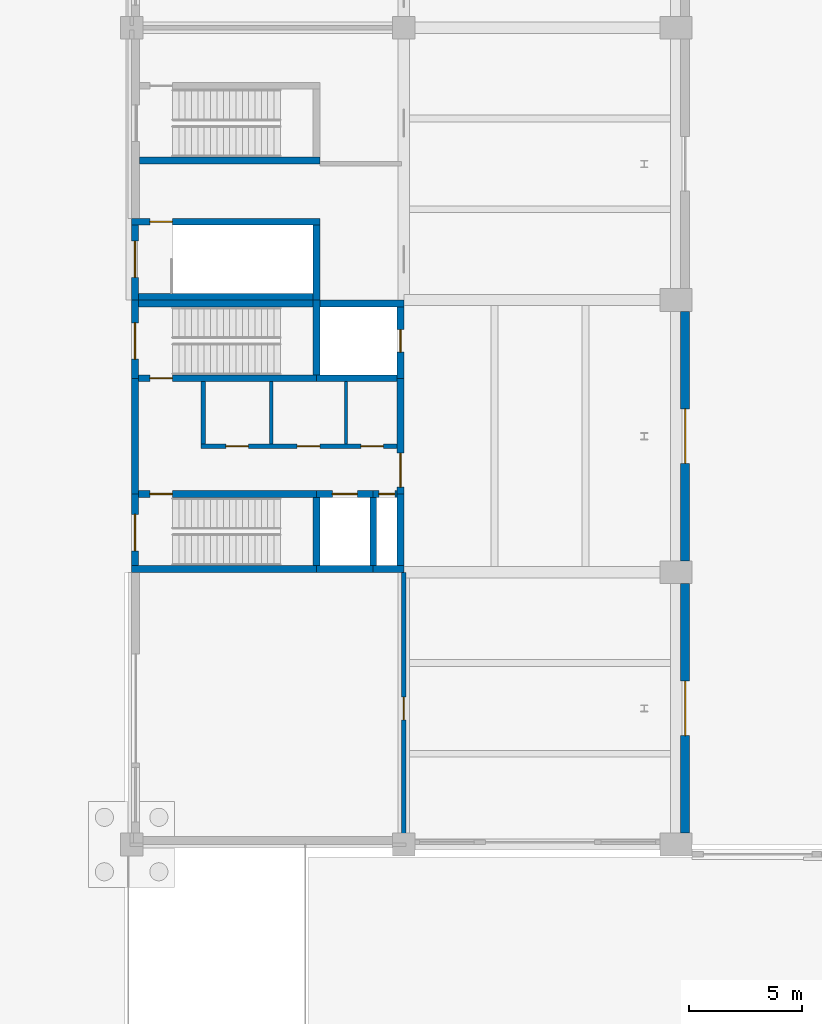
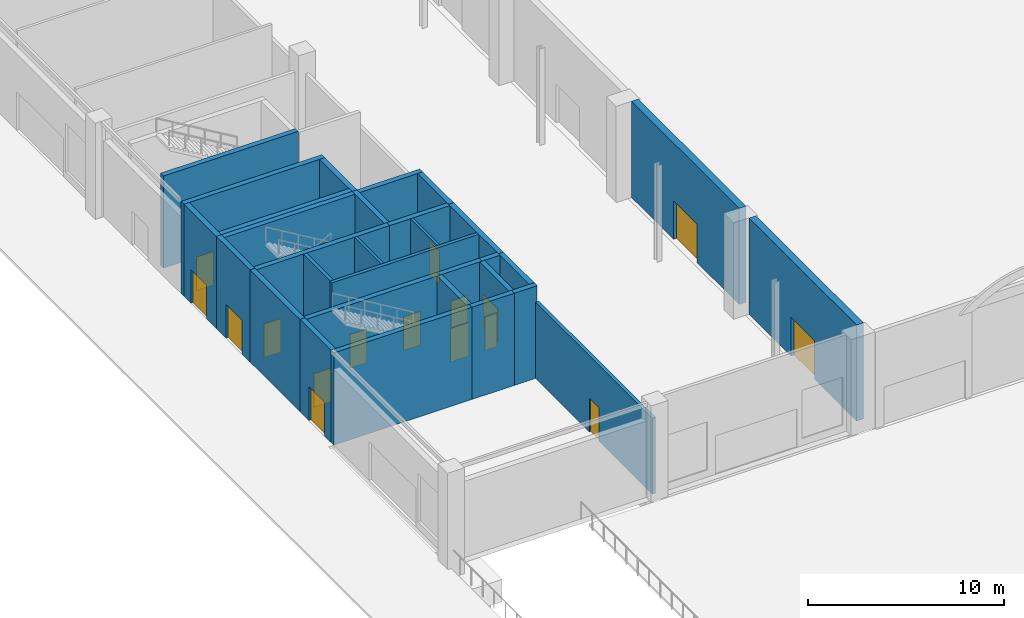
# One storey, part 33 of 59: 31 walls, 16 doors, 16 openings.
"""IFC4 building model written with IfcOpenShell, lengths in metres."""

from ifc_helpers import new_model, si_unit, direction, frame, frame_2d, origin, place, context, subcontext, project, spatial, rectangle, extrude, material, layer, layer_set, type_object, element, fill, save


model = new_model("IFC4")

# Units and contexts
model_context = context("Model", 3, precision=1e-05, world=origin(), true_north=direction((0.0, 1.0)))
body_context = subcontext(model_context, "Body", "Model", "MODEL_VIEW")
ifc_project = project(units=[si_unit("LENGTHUNIT", "METRE"), si_unit("AREAUNIT", "SQUARE_METRE"), si_unit("VOLUMEUNIT", "CUBIC_METRE"), si_unit("PLANEANGLEUNIT", "RADIAN"), si_unit("MASSUNIT", "GRAM", prefix="KILO")], contexts=[model_context])

# Site, building, storey
site_placement = place(None, origin())
site = spatial("IfcSite", under=ifc_project, at=site_placement, CompositionType="ELEMENT")
building_placement = place(site_placement, origin())
building = spatial("IfcBuilding", under=site, at=building_placement, Name="Lilac Gate Convention Centre", CompositionType="ELEMENT")
storey_placement = place(building_placement, origin())
storey = spatial("IfcBuildingStorey", under=building, at=storey_placement, Name="L00", CompositionType="ELEMENT", Elevation=0.0)

# Wall, opening, door
ifc_material_1 = material(Name="Concrete C30", Category="concrete")
ifc_layer_1 = layer(ifc_material_1, 0.39990234375)
ifc_layer_set_1 = layer_set([ifc_layer_1], Name="Concrete C30")
wall_type_1 = type_object("IfcWallType", Name="Hall fire wall 400", PredefinedType="SOLIDWALL", material=ifc_layer_set_1)
wall_1_placement = place(storey_placement, frame((30.39990234375, 30.5, 0.0), z_axis=(0.0, 0.0, 1.0), x_axis=(0.0, 1.0, 0.0)))
wall_1 = element("IfcWall", 1, at=wall_1_placement, inside=storey, type_object=wall_type_1, Name="Fire wall galleria FW L00 1", PredefinedType="SOLIDWALL", context=body_context, shape_type="SweptSolid", body=[
    extrude(rectangle(XDim=11.0, YDim=0.39990234375, at=frame_2d((5.5, 0.0))), origin(), (0.0, 0.0, 1.0), 6.0),
])
opening_1_placement = place(wall_1_placement, frame((4.300048828125, 0.0, 0.0)))
opening_1 = element("IfcOpeningElement", 2, at=opening_1_placement, cuts=wall_1, Name="Opening L00-002", PredefinedType="OPENING", context=body_context, shape_type="SweptSolid", body=[
    extrude(rectangle(XDim=2.39990234375, YDim=2.39990234375, at=frame_2d((1.199951171875, 1.199951171875))), frame((0.0, 0.2099609375, 0.0), z_axis=(0.0, -1.0, 0.0), x_axis=(1.0, 0.0, 0.0)), (0.0, 0.0, 1.0), 0.419921875),
])
ifc_material_2 = material(Name="Steel Q235B", Category="steel")
door_type_1 = type_object("IfcDoorType", Name="Door 2400 x 2400 double leaf FD90", OperationType="DOUBLE_DOOR_SINGLE_SWING", PredefinedType="DOOR", material=ifc_material_2)
door_1_placement = place(opening_1_placement, origin())
door_1 = element("IfcDoor", 3, at=door_1_placement, inside=storey, type_object=door_type_1, Name="Hall exit door L00-002", OperationType="DOUBLE_DOOR_SINGLE_SWING", OverallHeight=2.39990234375, OverallWidth=2.39990234375, PredefinedType="DOOR", context=body_context, shape_type="SweptSolid", body=[
    extrude(rectangle(XDim=2.39990234375, YDim=2.39990234375, at=frame_2d((1.199951171875, 1.199951171875))), frame((0.0, 0.02490234375, 0.0), z_axis=(0.0, -1.0, 0.0), x_axis=(1.0, 0.0, 0.0)), (0.0, 0.0, 1.0), 0.050048828125),
])
fill(opening_1, door_1)

wall_2_placement = place(storey_placement, frame((30.39990234375, 42.5, 0.0), z_axis=(0.0, 0.0, 1.0), x_axis=(0.0, 1.0, 0.0)))
wall_2 = element("IfcWall", 4, at=wall_2_placement, inside=storey, type_object=wall_type_1, Name="Fire wall galleria FW L00 2", PredefinedType="SOLIDWALL", context=body_context, shape_type="SweptSolid", body=[
    extrude(rectangle(XDim=11.0, YDim=0.39990234375, at=frame_2d((5.5, 0.0))), origin(), (0.0, 0.0, 1.0), 6.0),
])
opening_2_placement = place(wall_2_placement, frame((4.300048828125, 0.0, 0.0)))
opening_2 = element("IfcOpeningElement", 5, at=opening_2_placement, cuts=wall_2, Name="Opening L00-010", PredefinedType="OPENING", context=body_context, shape_type="SweptSolid", body=[
    extrude(rectangle(XDim=2.39990234375, YDim=2.39990234375, at=frame_2d((1.199951171875, 1.199951171875))), frame((0.0, 0.2099609375, 0.0), z_axis=(0.0, -1.0, 0.0), x_axis=(1.0, 0.0, 0.0)), (0.0, 0.0, 1.0), 0.419921875),
])
door_2_placement = place(opening_2_placement, origin())
door_2 = element("IfcDoor", 6, at=door_2_placement, inside=storey, type_object=door_type_1, Name="Hall exit door L00-010", OperationType="DOUBLE_DOOR_SINGLE_SWING", OverallHeight=2.39990234375, OverallWidth=2.39990234375, PredefinedType="DOOR", context=body_context, shape_type="SweptSolid", body=[
    extrude(rectangle(XDim=2.39990234375, YDim=2.39990234375, at=frame_2d((1.199951171875, 1.199951171875))), frame((0.0, 0.02490234375, 0.0), z_axis=(0.0, -1.0, 0.0), x_axis=(1.0, 0.0, 0.0)), (0.0, 0.0, 1.0), 0.050048828125),
])
fill(opening_2, door_2)

# Walls
ifc_material_3 = material(Name="Fire-rated gypsum board on steel stud", Category="steel")
ifc_layer_2 = layer(ifc_material_3, 0.14990234375)
ifc_layer_set_2 = layer_set([ifc_layer_2], Name="Fire-rated gypsum board on steel stud")
wall_type_2 = type_object("IfcWallType", Name="Partition 150 fire-rated gypsum board EI 60", PredefinedType="PARTITIONING", material=ifc_layer_set_2)
for number, where, z_axis, x_axis, name in (
    (7, (12.14990234375, 47.64990234375, 0.0), (0.0, 0.0, 1.0), (0.0, 1.0, 0.0), "Partition 150 fire-rated gypsum board EI 60"),
    (8, (15.449951171875, 47.64990234375, 0.0), (0.0, 0.0, 1.0), (0.0, 1.0, 0.0), "Partition 150 fire-rated gypsum board EI 60"),
):
    element("IfcWall", number, at=place(storey_placement, frame(where, z_axis=z_axis, x_axis=x_axis)), inside=storey, type_object=wall_type_2, Name=name, PredefinedType="PARTITIONING", context=body_context, shape_type="SweptSolid", body=[
        extrude(rectangle(XDim=2.75, YDim=0.14990234375, at=frame_2d((1.375, 0.0))), origin(), (0.0, 0.0, 1.0), 5.75),
    ])

# Wall, openings, doors
ifc_material_4 = material(Name="Clay brick masonry", Category="masonry")
ifc_layer_3 = layer(ifc_material_4, 0.199951171875)
ifc_layer_set_3 = layer_set([ifc_layer_3], Name="Clay brick masonry")
wall_type_3 = type_object("IfcWallType", Name="Partition 200 brick EI 60", PredefinedType="PARTITIONING", material=ifc_layer_set_3)
wall_3_placement = place(storey_placement, frame((9.050048828125, 47.550048828125, 0.0), z_axis=(0.0, 0.0, 1.0), x_axis=(1.0, 0.0, 0.0)))
wall_3 = element("IfcWall", 9, at=wall_3_placement, inside=storey, type_object=wall_type_3, Name="Partition 200 brick EI 60", PredefinedType="PARTITIONING", context=body_context, shape_type="SweptSolid", body=[
    extrude(rectangle(XDim=8.64990234375, YDim=0.199951171875, at=frame_2d((4.324951171875, 0.0))), origin(), (0.0, 0.0, 1.0), 5.75),
])
opening_3_placement = place(wall_3_placement, frame((1.10009765625, 0.0, 0.0)))
opening_3 = element("IfcOpeningElement", 10, at=opening_3_placement, cuts=wall_3, Name="Opening L00-007", PredefinedType="OPENING", context=body_context, shape_type="SweptSolid", body=[
    extrude(rectangle(XDim=1.0, YDim=2.10009765625, at=frame_2d((0.5, 1.050048828125))), frame((0.0, 0.10986328125, 0.0), z_axis=(0.0, -1.0, 0.0), x_axis=(1.0, 0.0, 0.0)), (0.0, 0.0, 1.0), 0.219970703125),
])
opening_4_placement = place(wall_3_placement, frame((4.25, 0.0, 0.0)))
opening_4 = element("IfcOpeningElement", 11, at=opening_4_placement, cuts=wall_3, Name="Opening L00-008", PredefinedType="OPENING", context=body_context, shape_type="SweptSolid", body=[
    extrude(rectangle(XDim=1.0, YDim=2.10009765625, at=frame_2d((0.5, 1.050048828125))), frame((0.0, 0.10986328125, 0.0), z_axis=(0.0, -1.0, 0.0), x_axis=(1.0, 0.0, 0.0)), (0.0, 0.0, 1.0), 0.219970703125),
])
opening_5_placement = place(wall_3_placement, frame((7.050048828125, 0.0, 0.0)))
opening_5 = element("IfcOpeningElement", 12, at=opening_5_placement, cuts=wall_3, Name="Opening L00-009", PredefinedType="OPENING", context=body_context, shape_type="SweptSolid", body=[
    extrude(rectangle(XDim=1.0, YDim=2.10009765625, at=frame_2d((0.5, 1.050048828125))), frame((0.0, 0.10986328125, 0.0), z_axis=(0.0, -1.0, 0.0), x_axis=(1.0, 0.0, 0.0)), (0.0, 0.0, 1.0), 0.219970703125),
])
ifc_material_5 = material(Name="Timber fire door leaf", Category="wood")
door_type_2 = type_object("IfcDoorType", Name="Door 1000 x 2100 single leaf FD30", OperationType="SINGLE_SWING_LEFT", PredefinedType="DOOR", material=ifc_material_5)
door_3_placement = place(opening_3_placement, origin())
door_3 = element("IfcDoor", 13, at=door_3_placement, inside=storey, type_object=door_type_2, Name="WC door L00-007", OperationType="SINGLE_SWING_RIGHT", OverallHeight=2.10009765625, OverallWidth=1.0, PredefinedType="DOOR", context=body_context, shape_type="SweptSolid", body=[
    extrude(rectangle(XDim=1.0, YDim=2.10009765625, at=frame_2d((0.5, 1.050048828125))), frame((0.0, 0.02490234375, 0.0), z_axis=(0.0, -1.0, 0.0), x_axis=(1.0, 0.0, 0.0)), (0.0, 0.0, 1.0), 0.050048828125),
])
fill(opening_3, door_3)
door_4_placement = place(opening_4_placement, origin())
door_4 = element("IfcDoor", 14, at=door_4_placement, inside=storey, type_object=door_type_2, Name="WC door L00-008", OperationType="SINGLE_SWING_LEFT", OverallHeight=2.10009765625, OverallWidth=1.0, PredefinedType="DOOR", context=body_context, shape_type="SweptSolid", body=[
    extrude(rectangle(XDim=1.0, YDim=2.10009765625, at=frame_2d((0.5, 1.050048828125))), frame((0.0, 0.02490234375, 0.0), z_axis=(0.0, -1.0, 0.0), x_axis=(1.0, 0.0, 0.0)), (0.0, 0.0, 1.0), 0.050048828125),
])
fill(opening_4, door_4)
door_5_placement = place(opening_5_placement, origin())
door_5 = element("IfcDoor", 15, at=door_5_placement, inside=storey, type_object=door_type_2, Name="Accessible WC door L00-009", OperationType="SINGLE_SWING_LEFT", OverallHeight=2.10009765625, OverallWidth=1.0, PredefinedType="DOOR", context=body_context, shape_type="SweptSolid", body=[
    extrude(rectangle(XDim=1.0, YDim=2.10009765625, at=frame_2d((0.5, 1.050048828125))), frame((0.0, 0.02490234375, 0.0), z_axis=(0.0, -1.0, 0.0), x_axis=(1.0, 0.0, 0.0)), (0.0, 0.0, 1.0), 0.050048828125),
])
fill(opening_5, door_5)

# Wall
wall_4_placement = place(storey_placement, frame((9.14990234375, 47.64990234375, 0.0), z_axis=(0.0, 0.0, 1.0), x_axis=(0.0, 1.0, 0.0)))
element("IfcWall", 16, at=wall_4_placement, inside=storey, type_object=wall_type_3, Name="Partition 200 brick EI 60", PredefinedType="PARTITIONING", context=body_context, shape_type="SweptSolid", body=[
    extrude(rectangle(XDim=2.75, YDim=0.199951171875, at=frame_2d((1.375, 0.0))), origin(), (0.0, 0.0, 1.0), 5.75),
])

# Wall, opening, door
wall_5_placement = place(storey_placement, frame((18.0, 30.074951171875, 0.0), z_axis=(0.0, 0.0, 1.0), x_axis=(0.0, 1.0, 0.0)))
wall_5 = element("IfcWall", 17, at=wall_5_placement, inside=storey, type_object=wall_type_3, Name="Partition 200 brick EI 60", PredefinedType="PARTITIONING", context=body_context, shape_type="SweptSolid", body=[
    extrude(rectangle(XDim=11.925048828125, YDim=0.199951171875, at=frame_2d((5.96240234375, 0.0))), origin(), (0.0, 0.0, 1.0), 4.75),
])
opening_6_placement = place(wall_5_placement, frame((5.425048828125, 0.0, 0.0)))
opening_6 = element("IfcOpeningElement", 18, at=opening_6_placement, cuts=wall_5, Name="Opening L00-001", PredefinedType="OPENING", context=body_context, shape_type="SweptSolid", body=[
    extrude(rectangle(XDim=1.0, YDim=2.10009765625, at=frame_2d((0.5, 1.050048828125))), frame((0.0, 0.10986328125, 0.0), z_axis=(0.0, -1.0, 0.0), x_axis=(1.0, 0.0, 0.0)), (0.0, 0.0, 1.0), 0.219970703125),
])
door_6_placement = place(opening_6_placement, origin())
door_6 = element("IfcDoor", 19, at=door_6_placement, inside=storey, type_object=door_type_2, Name="Office door L00-001", OperationType="SINGLE_SWING_RIGHT", OverallHeight=2.10009765625, OverallWidth=1.0, PredefinedType="DOOR", context=body_context, shape_type="SweptSolid", body=[
    extrude(rectangle(XDim=1.0, YDim=2.10009765625, at=frame_2d((0.5, 1.050048828125))), frame((0.0, 0.02490234375, 0.0), z_axis=(0.0, -1.0, 0.0), x_axis=(1.0, 0.0, 0.0)), (0.0, 0.0, 1.0), 0.050048828125),
])
fill(opening_6, door_6)

# Wall
ifc_material_6 = material(Name="Concrete C40", Category="concrete")
ifc_layer_4 = layer(ifc_material_6, 0.300048828125)
ifc_layer_set_4 = layer_set([ifc_layer_4], Name="Concrete C40")
wall_type_4 = type_object("IfcWallType", Name="Shear wall 300 C40", PredefinedType="SHEAR", material=ifc_layer_set_4)
wall_6_placement = place(storey_placement, frame((6.0, 54.14990234375, 0.0), z_axis=(0.0, 0.0, 1.0), x_axis=(1.0, 0.0, 0.0)))
element("IfcWall", 20, at=wall_6_placement, inside=storey, type_object=wall_type_4, Name="SW1 shear wall BW1 L00 1", PredefinedType="SHEAR", context=body_context, shape_type="SweptSolid", body=[
    extrude(rectangle(XDim=8.300048828125, YDim=0.300048828125, at=frame_2d((4.14990234375, 0.0))), origin(), (0.0, 0.0, 1.0), 5.75),
])

# Wall, opening, door
wall_7_placement = place(storey_placement, frame((6.0, 57.449951171875, 0.0), z_axis=(0.0, 0.0, 1.0), x_axis=(1.0, 0.0, 0.0)))
wall_7 = element("IfcWall", 21, at=wall_7_placement, inside=storey, type_object=wall_type_4, Name="SW1 shear wall BW1 L00 2", PredefinedType="SHEAR", context=body_context, shape_type="SweptSolid", body=[
    extrude(rectangle(XDim=8.300048828125, YDim=0.300048828125, at=frame_2d((4.14990234375, 0.0))), origin(), (0.0, 0.0, 1.0), 5.75),
])
opening_7_placement = place(wall_7_placement, frame((0.800048828125, 0.0, 0.0)))
opening_7 = element("IfcOpeningElement", 22, at=opening_7_placement, cuts=wall_7, Name="Opening L00-016", PredefinedType="OPENING", context=body_context, shape_type="SweptSolid", body=[
    extrude(rectangle(XDim=1.0, YDim=2.10009765625, at=frame_2d((0.5, 1.050048828125))), frame((0.0, 0.159912109375, 0.0), z_axis=(0.0, -1.0, 0.0), x_axis=(1.0, 0.0, 0.0)), (0.0, 0.0, 1.0), 0.320068359375),
])
door_type_3 = type_object("IfcDoorType", Name="Door 1000 x 2100 single leaf FD60", OperationType="SINGLE_SWING_LEFT", PredefinedType="DOOR", material=ifc_material_5)
door_7_placement = place(opening_7_placement, frame((1.0, 0.0, 0.0), z_axis=(0.0, 0.0, 1.0), x_axis=(-1.0, 0.0, 0.0)))
door_7 = element("IfcDoor", 23, at=door_7_placement, inside=storey, type_object=door_type_3, Name="Stair door L00-016", OperationType="SINGLE_SWING_LEFT", OverallHeight=2.10009765625, OverallWidth=1.0, PredefinedType="DOOR", context=body_context, shape_type="SweptSolid", body=[
    extrude(rectangle(XDim=1.0, YDim=2.10009765625, at=frame_2d((0.5, 1.050048828125))), frame((0.0, 0.02490234375, 0.0), z_axis=(0.0, -1.0, 0.0), x_axis=(1.0, 0.0, 0.0)), (0.0, 0.0, 1.0), 0.050048828125),
])
fill(opening_7, door_7)

wall_8_placement = place(storey_placement, frame((6.14990234375, 54.0, 0.0), z_axis=(0.0, 0.0, 1.0), x_axis=(0.0, 1.0, 0.0)))
wall_8 = element("IfcWall", 24, at=wall_8_placement, inside=storey, type_object=wall_type_4, Name="SW1 shear wall BW1 L00 3", PredefinedType="SHEAR", context=body_context, shape_type="SweptSolid", body=[
    extrude(rectangle(XDim=3.300048828125, YDim=0.300048828125, at=frame_2d((1.64990234375, 0.0))), origin(), (0.0, 0.0, 1.0), 5.75),
])
opening_8_placement = place(wall_8_placement, frame((1.0, 0.0, 0.0)))
opening_8 = element("IfcOpeningElement", 25, at=opening_8_placement, cuts=wall_8, Name="Opening L00-014", PredefinedType="OPENING", context=body_context, shape_type="SweptSolid", body=[
    extrude(rectangle(XDim=1.60009765625, YDim=2.10009765625, at=frame_2d((0.800048828125, 1.050048828125))), frame((0.0, 0.159912109375, 0.0), z_axis=(0.0, -1.0, 0.0), x_axis=(1.0, 0.0, 0.0)), (0.0, 0.0, 1.0), 0.320068359375),
])
door_type_4 = type_object("IfcDoorType", Name="Door 1600 x 2100 double leaf FD60", OperationType="DOUBLE_DOOR_SINGLE_SWING", PredefinedType="DOOR", material=ifc_material_5)
door_8_placement = place(opening_8_placement, origin())
door_8 = element("IfcDoor", 26, at=door_8_placement, inside=storey, type_object=door_type_4, Name="Stair exit door L00-014", OperationType="DOUBLE_DOOR_SINGLE_SWING", OverallHeight=2.10009765625, OverallWidth=1.60009765625, PredefinedType="DOOR", context=body_context, shape_type="SweptSolid", body=[
    extrude(rectangle(XDim=1.60009765625, YDim=2.10009765625, at=frame_2d((0.800048828125, 1.050048828125))), frame((0.0, 0.02490234375, 0.0), z_axis=(0.0, -1.0, 0.0), x_axis=(1.0, 0.0, 0.0)), (0.0, 0.0, 1.0), 0.050048828125),
])
fill(opening_8, door_8)

# Walls
wall_9_placement = place(storey_placement, frame((14.14990234375, 54.0, 0.0), z_axis=(0.0, 0.0, 1.0), x_axis=(0.0, 1.0, 0.0)))
element("IfcWall", 27, at=wall_9_placement, inside=storey, type_object=wall_type_4, Name="SW1 shear wall BW1 L00 4", PredefinedType="SHEAR", context=body_context, shape_type="SweptSolid", body=[
    extrude(rectangle(XDim=3.300048828125, YDim=0.300048828125, at=frame_2d((1.64990234375, 0.0))), origin(), (0.0, 0.0, 1.0), 5.75),
])
wall_10_placement = place(storey_placement, frame((6.35009765625, 60.14990234375, 0.0), z_axis=(0.0, 0.0, 1.0), x_axis=(1.0, 0.0, 0.0)))
element("IfcWall", 28, at=wall_10_placement, inside=storey, type_object=wall_type_4, Name="SW1 shear wall UW1 L00 1", PredefinedType="SHEAR", context=body_context, shape_type="SweptSolid", body=[
    extrude(rectangle(XDim=7.949951171875, YDim=0.300048828125, at=frame_2d((3.97509765625, 0.0))), origin(), (0.0, 0.0, 1.0), 5.75),
])
wall_11_placement = place(storey_placement, frame((6.0, 42.14990234375, 0.0), z_axis=(0.0, 0.0, 1.0), x_axis=(1.0, 0.0, 0.0)))
element("IfcWall", 29, at=wall_11_placement, inside=storey, type_object=wall_type_4, Name="SW1 shear wall W1 L00 1", PredefinedType="SHEAR", context=body_context, shape_type="SweptSolid", body=[
    extrude(rectangle(XDim=8.14990234375, YDim=0.300048828125, at=frame_2d((4.074951171875, 0.0))), origin(), (0.0, 0.0, 1.0), 5.75),
])
wall_12_placement = place(storey_placement, frame((14.14990234375, 42.14990234375, 0.0), z_axis=(0.0, 0.0, 1.0), x_axis=(1.0, 0.0, 0.0)))
element("IfcWall", 30, at=wall_12_placement, inside=storey, type_object=wall_type_4, Name="SW1 shear wall W1 L00 2", PredefinedType="SHEAR", context=body_context, shape_type="SweptSolid", body=[
    extrude(rectangle(XDim=2.5, YDim=0.300048828125, at=frame_2d((1.25, 0.0))), origin(), (0.0, 0.0, 1.0), 5.75),
])
wall_13_placement = place(storey_placement, frame((16.64990234375, 42.14990234375, 0.0), z_axis=(0.0, 0.0, 1.0), x_axis=(1.0, 0.0, 0.0)))
element("IfcWall", 31, at=wall_13_placement, inside=storey, type_object=wall_type_4, Name="SW1 shear wall W1 L00 3", PredefinedType="SHEAR", context=body_context, shape_type="SweptSolid", body=[
    extrude(rectangle(XDim=1.35009765625, YDim=0.300048828125, at=frame_2d((0.675048828125, 0.0))), origin(), (0.0, 0.0, 1.0), 5.75),
])
wall_14_placement = place(storey_placement, frame((6.0, 53.85009765625, 0.0), z_axis=(0.0, 0.0, 1.0), x_axis=(1.0, 0.0, 0.0)))
element("IfcWall", 32, at=wall_14_placement, inside=storey, type_object=wall_type_4, Name="SW1 shear wall W1 L00 4", PredefinedType="SHEAR", context=body_context, shape_type="SweptSolid", body=[
    extrude(rectangle(XDim=8.14990234375, YDim=0.300048828125, at=frame_2d((4.074951171875, 0.0))), origin(), (0.0, 0.0, 1.0), 5.75),
])
wall_15_placement = place(storey_placement, frame((14.14990234375, 53.85009765625, 0.0), z_axis=(0.0, 0.0, 1.0), x_axis=(1.0, 0.0, 0.0)))
element("IfcWall", 33, at=wall_15_placement, inside=storey, type_object=wall_type_4, Name="SW1 shear wall W1 L00 5", PredefinedType="SHEAR", context=body_context, shape_type="SweptSolid", body=[
    extrude(rectangle(XDim=3.85009765625, YDim=0.300048828125, at=frame_2d((1.925048828125, 0.0))), origin(), (0.0, 0.0, 1.0), 5.75),
])

# Wall, opening, door
wall_16_placement = place(storey_placement, frame((6.300048828125, 45.449951171875, 0.0), z_axis=(0.0, 0.0, 1.0), x_axis=(1.0, 0.0, 0.0)))
wall_16 = element("IfcWall", 34, at=wall_16_placement, inside=storey, type_object=wall_type_4, Name="SW1 shear wall W1 L00 6", PredefinedType="SHEAR", context=body_context, shape_type="SweptSolid", body=[
    extrude(rectangle(XDim=7.849853515625, YDim=0.300048828125, at=frame_2d((3.9248046875, 0.0))), origin(), (0.0, 0.0, 1.0), 5.75),
])
opening_9_placement = place(wall_16_placement, frame((0.5, 0.0, 0.0)))
opening_9 = element("IfcOpeningElement", 35, at=opening_9_placement, cuts=wall_16, Name="Opening L00-004", PredefinedType="OPENING", context=body_context, shape_type="SweptSolid", body=[
    extrude(rectangle(XDim=1.0, YDim=2.10009765625, at=frame_2d((0.5, 1.050048828125))), frame((0.0, 0.159912109375, 0.0), z_axis=(0.0, -1.0, 0.0), x_axis=(1.0, 0.0, 0.0)), (0.0, 0.0, 1.0), 0.320068359375),
])
door_9_placement = place(opening_9_placement, frame((1.0, 0.0, 0.0), z_axis=(0.0, 0.0, 1.0), x_axis=(-1.0, 0.0, 0.0)))
door_9 = element("IfcDoor", 36, at=door_9_placement, inside=storey, type_object=door_type_3, Name="Stair door L00-004", OperationType="SINGLE_SWING_LEFT", OverallHeight=2.10009765625, OverallWidth=1.0, PredefinedType="DOOR", context=body_context, shape_type="SweptSolid", body=[
    extrude(rectangle(XDim=1.0, YDim=2.10009765625, at=frame_2d((0.5, 1.050048828125))), frame((0.0, 0.02490234375, 0.0), z_axis=(0.0, -1.0, 0.0), x_axis=(1.0, 0.0, 0.0)), (0.0, 0.0, 1.0), 0.050048828125),
])
fill(opening_9, door_9)

wall_17_placement = place(storey_placement, frame((14.14990234375, 45.449951171875, 0.0), z_axis=(0.0, 0.0, 1.0), x_axis=(1.0, 0.0, 0.0)))
wall_17 = element("IfcWall", 37, at=wall_17_placement, inside=storey, type_object=wall_type_4, Name="SW1 shear wall W1 L00 7", PredefinedType="SHEAR", context=body_context, shape_type="SweptSolid", body=[
    extrude(rectangle(XDim=2.5, YDim=0.300048828125, at=frame_2d((1.25, 0.0))), origin(), (0.0, 0.0, 1.0), 5.75),
])
opening_10_placement = place(wall_17_placement, frame((0.699951171875, 0.0, 0.0)))
opening_10 = element("IfcOpeningElement", 38, at=opening_10_placement, cuts=wall_17, Name="Opening LDW1-00", PredefinedType="OPENING", context=body_context, shape_type="SweptSolid", body=[
    extrude(rectangle(XDim=1.10009765625, YDim=2.10009765625, at=frame_2d((0.550048828125, 1.050048828125))), frame((0.0, 0.159912109375, 0.0), z_axis=(0.0, -1.0, 0.0), x_axis=(1.0, 0.0, 0.0)), (0.0, 0.0, 1.0), 0.320068359375),
])
ifc_material_7 = material(Name="Stainless steel 304", Category="steel")
door_type_5 = type_object("IfcDoorType", Name="Lift landing door 1100 x 2100", OperationType="SLIDING_TO_LEFT", PredefinedType="DOOR", material=ifc_material_7)
door_10_placement = place(opening_10_placement, origin())
door_10 = element("IfcDoor", 39, at=door_10_placement, inside=storey, type_object=door_type_5, Name="Lift landing door LDW1-00", OperationType="SLIDING_TO_LEFT", OverallHeight=2.10009765625, OverallWidth=1.10009765625, PredefinedType="DOOR", context=body_context, shape_type="SweptSolid", body=[
    extrude(rectangle(XDim=1.10009765625, YDim=2.10009765625, at=frame_2d((0.550048828125, 1.050048828125))), frame((0.0, 0.02490234375, 0.0), z_axis=(0.0, -1.0, 0.0), x_axis=(1.0, 0.0, 0.0)), (0.0, 0.0, 1.0), 0.050048828125),
])
fill(opening_10, door_10)

wall_18_placement = place(storey_placement, frame((16.64990234375, 45.449951171875, 0.0), z_axis=(0.0, 0.0, 1.0), x_axis=(1.0, 0.0, 0.0)))
wall_18 = element("IfcWall", 40, at=wall_18_placement, inside=storey, type_object=wall_type_4, Name="SW1 shear wall W1 L00 8", PredefinedType="SHEAR", context=body_context, shape_type="SweptSolid", body=[
    extrude(rectangle(XDim=1.050048828125, YDim=0.300048828125, at=frame_2d((0.52490234375, 0.0))), origin(), (0.0, 0.0, 1.0), 5.75),
])
opening_11_placement = place(wall_18_placement, frame((0.25, 0.0, 0.0)))
opening_11 = element("IfcOpeningElement", 41, at=opening_11_placement, cuts=wall_18, Name="Opening L00-005", PredefinedType="OPENING", context=body_context, shape_type="SweptSolid", body=[
    extrude(rectangle(XDim=0.699951171875, YDim=2.10009765625, at=frame_2d((0.35009765625, 1.050048828125))), frame((0.0, 0.159912109375, 0.0), z_axis=(0.0, -1.0, 0.0), x_axis=(1.0, 0.0, 0.0)), (0.0, 0.0, 1.0), 0.320068359375),
])
door_type_6 = type_object("IfcDoorType", Name="Door 700 x 2100 single leaf FD30", OperationType="SINGLE_SWING_LEFT", PredefinedType="DOOR", material=ifc_material_5)
door_11_placement = place(opening_11_placement, frame((0.699951171875, 0.0, 0.0), z_axis=(0.0, 0.0, 1.0), x_axis=(-1.0, 0.0, 0.0)))
door_11 = element("IfcDoor", 42, at=door_11_placement, inside=storey, type_object=door_type_6, Name="Riser access door L00-005", OperationType="SINGLE_SWING_LEFT", OverallHeight=2.10009765625, OverallWidth=0.699951171875, PredefinedType="DOOR", context=body_context, shape_type="SweptSolid", body=[
    extrude(rectangle(XDim=0.699951171875, YDim=2.10009765625, at=frame_2d((0.35009765625, 1.050048828125))), frame((0.0, 0.02490234375, 0.0), z_axis=(0.0, -1.0, 0.0), x_axis=(1.0, 0.0, 0.0)), (0.0, 0.0, 1.0), 0.050048828125),
])
fill(opening_11, door_11)

wall_19_placement = place(storey_placement, frame((6.300048828125, 50.550048828125, 0.0), z_axis=(0.0, 0.0, 1.0), x_axis=(1.0, 0.0, 0.0)))
wall_19 = element("IfcWall", 43, at=wall_19_placement, inside=storey, type_object=wall_type_4, Name="SW1 shear wall W1 L00 9", PredefinedType="SHEAR", context=body_context, shape_type="SweptSolid", body=[
    extrude(rectangle(XDim=7.849853515625, YDim=0.300048828125, at=frame_2d((3.9248046875, 0.0))), origin(), (0.0, 0.0, 1.0), 5.75),
])
opening_12_placement = place(wall_19_placement, frame((0.5, 0.0, 0.0)))
opening_12 = element("IfcOpeningElement", 44, at=opening_12_placement, cuts=wall_19, Name="Opening L00-011", PredefinedType="OPENING", context=body_context, shape_type="SweptSolid", body=[
    extrude(rectangle(XDim=1.0, YDim=2.10009765625, at=frame_2d((0.5, 1.050048828125))), frame((0.0, 0.159912109375, 0.0), z_axis=(0.0, -1.0, 0.0), x_axis=(1.0, 0.0, 0.0)), (0.0, 0.0, 1.0), 0.320068359375),
])
door_12_placement = place(opening_12_placement, origin())
door_12 = element("IfcDoor", 45, at=door_12_placement, inside=storey, type_object=door_type_3, Name="Stair door L00-011", OperationType="SINGLE_SWING_RIGHT", OverallHeight=2.10009765625, OverallWidth=1.0, PredefinedType="DOOR", context=body_context, shape_type="SweptSolid", body=[
    extrude(rectangle(XDim=1.0, YDim=2.10009765625, at=frame_2d((0.5, 1.050048828125))), frame((0.0, 0.02490234375, 0.0), z_axis=(0.0, -1.0, 0.0), x_axis=(1.0, 0.0, 0.0)), (0.0, 0.0, 1.0), 0.050048828125),
])
fill(opening_12, door_12)

# Wall
wall_20_placement = place(storey_placement, frame((14.14990234375, 50.550048828125, 0.0), z_axis=(0.0, 0.0, 1.0), x_axis=(1.0, 0.0, 0.0)))
element("IfcWall", 46, at=wall_20_placement, inside=storey, type_object=wall_type_4, Name="SW1 shear wall W1 L00 10", PredefinedType="SHEAR", context=body_context, shape_type="SweptSolid", body=[
    extrude(rectangle(XDim=3.550048828125, YDim=0.300048828125, at=frame_2d((1.77490234375, 0.0))), origin(), (0.0, 0.0, 1.0), 5.75),
])

# Wall, opening, door
wall_21_placement = place(storey_placement, frame((6.14990234375, 42.300048828125, 0.0), z_axis=(0.0, 0.0, 1.0), x_axis=(0.0, 1.0, 0.0)))
wall_21 = element("IfcWall", 47, at=wall_21_placement, inside=storey, type_object=wall_type_4, Name="SW1 shear wall W1 L00 11", PredefinedType="SHEAR", context=body_context, shape_type="SweptSolid", body=[
    extrude(rectangle(XDim=3.14990234375, YDim=0.300048828125, at=frame_2d((1.574951171875, 0.0))), origin(), (0.0, 0.0, 1.0), 5.75),
])
opening_13_placement = place(wall_21_placement, frame((0.64990234375, 0.0, 0.0)))
opening_13 = element("IfcOpeningElement", 48, at=opening_13_placement, cuts=wall_21, Name="Opening L00-003", PredefinedType="OPENING", context=body_context, shape_type="SweptSolid", body=[
    extrude(rectangle(XDim=1.60009765625, YDim=2.10009765625, at=frame_2d((0.800048828125, 1.050048828125))), frame((0.0, 0.159912109375, 0.0), z_axis=(0.0, -1.0, 0.0), x_axis=(1.0, 0.0, 0.0)), (0.0, 0.0, 1.0), 0.320068359375),
])
door_13_placement = place(opening_13_placement, origin())
door_13 = element("IfcDoor", 49, at=door_13_placement, inside=storey, type_object=door_type_4, Name="Stair exit door L00-003", OperationType="DOUBLE_DOOR_SINGLE_SWING", OverallHeight=2.10009765625, OverallWidth=1.60009765625, PredefinedType="DOOR", context=body_context, shape_type="SweptSolid", body=[
    extrude(rectangle(XDim=1.60009765625, YDim=2.10009765625, at=frame_2d((0.800048828125, 1.050048828125))), frame((0.0, 0.02490234375, 0.0), z_axis=(0.0, -1.0, 0.0), x_axis=(1.0, 0.0, 0.0)), (0.0, 0.0, 1.0), 0.050048828125),
])
fill(opening_13, door_13)

# Wall
wall_22_placement = place(storey_placement, frame((6.14990234375, 45.449951171875, 0.0), z_axis=(0.0, 0.0, 1.0), x_axis=(0.0, 1.0, 0.0)))
element("IfcWall", 50, at=wall_22_placement, inside=storey, type_object=wall_type_4, Name="SW1 shear wall W1 L00 12", PredefinedType="SHEAR", context=body_context, shape_type="SweptSolid", body=[
    extrude(rectangle(XDim=5.10009765625, YDim=0.300048828125, at=frame_2d((2.550048828125, 0.0))), origin(), (0.0, 0.0, 1.0), 5.75),
])

# Wall, opening, door
wall_23_placement = place(storey_placement, frame((6.14990234375, 50.550048828125, 0.0), z_axis=(0.0, 0.0, 1.0), x_axis=(0.0, 1.0, 0.0)))
wall_23 = element("IfcWall", 51, at=wall_23_placement, inside=storey, type_object=wall_type_4, Name="SW1 shear wall W1 L00 13", PredefinedType="SHEAR", context=body_context, shape_type="SweptSolid", body=[
    extrude(rectangle(XDim=3.449951171875, YDim=0.300048828125, at=frame_2d((1.72509765625, 0.0))), origin(), (0.0, 0.0, 1.0), 5.75),
])
opening_14_placement = place(wall_23_placement, frame((0.85009765625, 0.0, 0.0)))
opening_14 = element("IfcOpeningElement", 52, at=opening_14_placement, cuts=wall_23, Name="Opening L00-012", PredefinedType="OPENING", context=body_context, shape_type="SweptSolid", body=[
    extrude(rectangle(XDim=1.60009765625, YDim=2.10009765625, at=frame_2d((0.800048828125, 1.050048828125))), frame((0.0, 0.159912109375, 0.0), z_axis=(0.0, -1.0, 0.0), x_axis=(1.0, 0.0, 0.0)), (0.0, 0.0, 1.0), 0.320068359375),
])
door_14_placement = place(opening_14_placement, origin())
door_14 = element("IfcDoor", 53, at=door_14_placement, inside=storey, type_object=door_type_4, Name="Stair exit door L00-012", OperationType="DOUBLE_DOOR_SINGLE_SWING", OverallHeight=2.10009765625, OverallWidth=1.60009765625, PredefinedType="DOOR", context=body_context, shape_type="SweptSolid", body=[
    extrude(rectangle(XDim=1.60009765625, YDim=2.10009765625, at=frame_2d((0.800048828125, 1.050048828125))), frame((0.0, 0.02490234375, 0.0), z_axis=(0.0, -1.0, 0.0), x_axis=(1.0, 0.0, 0.0)), (0.0, 0.0, 1.0), 0.050048828125),
])
fill(opening_14, door_14)

# Wall
wall_24_placement = place(storey_placement, frame((17.85009765625, 42.300048828125, 0.0), z_axis=(0.0, 0.0, 1.0), x_axis=(0.0, 1.0, 0.0)))
element("IfcWall", 54, at=wall_24_placement, inside=storey, type_object=wall_type_4, Name="SW1 shear wall W1 L00 14", PredefinedType="SHEAR", context=body_context, shape_type="SweptSolid", body=[
    extrude(rectangle(XDim=3.14990234375, YDim=0.300048828125, at=frame_2d((1.574951171875, 0.0))), origin(), (0.0, 0.0, 1.0), 5.75),
])

# Wall, opening, door
wall_25_placement = place(storey_placement, frame((17.85009765625, 45.449951171875, 0.0), z_axis=(0.0, 0.0, 1.0), x_axis=(0.0, 1.0, 0.0)))
wall_25 = element("IfcWall", 55, at=wall_25_placement, inside=storey, type_object=wall_type_4, Name="SW1 shear wall W1 L00 15", PredefinedType="SHEAR", context=body_context, shape_type="SweptSolid", body=[
    extrude(rectangle(XDim=5.10009765625, YDim=0.300048828125, at=frame_2d((2.550048828125, 0.0))), origin(), (0.0, 0.0, 1.0), 5.75),
])
opening_15_placement = place(wall_25_placement, frame((0.300048828125, 0.0, 0.0)))
opening_15 = element("IfcOpeningElement", 56, at=opening_15_placement, cuts=wall_25, Name="Opening L00-006", PredefinedType="OPENING", context=body_context, shape_type="SweptSolid", body=[
    extrude(rectangle(XDim=1.5, YDim=2.10009765625, at=frame_2d((0.75, 1.050048828125))), frame((0.0, 0.159912109375, 0.0), z_axis=(0.0, -1.0, 0.0), x_axis=(1.0, 0.0, 0.0)), (0.0, 0.0, 1.0), 0.320068359375),
])
door_type_7 = type_object("IfcDoorType", Name="Door 1500 x 2100 double leaf FD30", OperationType="DOUBLE_DOOR_SINGLE_SWING", PredefinedType="DOOR", material=ifc_material_5)
door_15_placement = place(opening_15_placement, origin())
door_15 = element("IfcDoor", 57, at=door_15_placement, inside=storey, type_object=door_type_7, Name="Lobby door L00-006", OperationType="DOUBLE_DOOR_SINGLE_SWING", OverallHeight=2.10009765625, OverallWidth=1.5, PredefinedType="DOOR", context=body_context, shape_type="SweptSolid", body=[
    extrude(rectangle(XDim=1.5, YDim=2.10009765625, at=frame_2d((0.75, 1.050048828125))), frame((0.0, 0.02490234375, 0.0), z_axis=(0.0, -1.0, 0.0), x_axis=(1.0, 0.0, 0.0)), (0.0, 0.0, 1.0), 0.050048828125),
])
fill(opening_15, door_15)

wall_26_placement = place(storey_placement, frame((17.85009765625, 50.550048828125, 0.0), z_axis=(0.0, 0.0, 1.0), x_axis=(0.0, 1.0, 0.0)))
wall_26 = element("IfcWall", 58, at=wall_26_placement, inside=storey, type_object=wall_type_4, Name="SW1 shear wall W1 L00 16", PredefinedType="SHEAR", context=body_context, shape_type="SweptSolid", body=[
    extrude(rectangle(XDim=3.14990234375, YDim=0.300048828125, at=frame_2d((1.574951171875, 0.0))), origin(), (0.0, 0.0, 1.0), 5.75),
])
opening_16_placement = place(wall_26_placement, frame((1.14990234375, 0.0, 0.0)))
opening_16 = element("IfcOpeningElement", 59, at=opening_16_placement, cuts=wall_26, Name="Opening L00-013", PredefinedType="OPENING", context=body_context, shape_type="SweptSolid", body=[
    extrude(rectangle(XDim=1.0, YDim=2.10009765625, at=frame_2d((0.5, 1.050048828125))), frame((0.0, 0.159912109375, 0.0), z_axis=(0.0, -1.0, 0.0), x_axis=(1.0, 0.0, 0.0)), (0.0, 0.0, 1.0), 0.320068359375),
])
door_16_placement = place(opening_16_placement, origin())
door_16 = element("IfcDoor", 60, at=door_16_placement, inside=storey, type_object=door_type_2, Name="Riser access door L00-013", OperationType="SINGLE_SWING_RIGHT", OverallHeight=2.10009765625, OverallWidth=1.0, PredefinedType="DOOR", context=body_context, shape_type="SweptSolid", body=[
    extrude(rectangle(XDim=1.0, YDim=2.10009765625, at=frame_2d((0.5, 1.050048828125))), frame((0.0, 0.02490234375, 0.0), z_axis=(0.0, -1.0, 0.0), x_axis=(1.0, 0.0, 0.0)), (0.0, 0.0, 1.0), 0.050048828125),
])
fill(opening_16, door_16)

# Walls
wall_27_placement = place(storey_placement, frame((14.14990234375, 42.300048828125, 0.0), z_axis=(0.0, 0.0, 1.0), x_axis=(0.0, 1.0, 0.0)))
element("IfcWall", 61, at=wall_27_placement, inside=storey, type_object=wall_type_4, Name="SW1 shear wall W1 L00 17", PredefinedType="SHEAR", context=body_context, shape_type="SweptSolid", body=[
    extrude(rectangle(XDim=3.0, YDim=0.300048828125, at=frame_2d((1.5, 0.0))), origin(), (0.0, 0.0, 1.0), 5.75),
])
wall_28_placement = place(storey_placement, frame((14.14990234375, 50.699951171875, 0.0), z_axis=(0.0, 0.0, 1.0), x_axis=(0.0, 1.0, 0.0)))
element("IfcWall", 62, at=wall_28_placement, inside=storey, type_object=wall_type_4, Name="SW1 shear wall W1 L00 18", PredefinedType="SHEAR", context=body_context, shape_type="SweptSolid", body=[
    extrude(rectangle(XDim=3.300048828125, YDim=0.300048828125, at=frame_2d((1.64990234375, 0.0))), origin(), (0.0, 0.0, 1.0), 5.75),
])
wall_29_placement = place(storey_placement, frame((16.64990234375, 42.300048828125, 0.0), z_axis=(0.0, 0.0, 1.0), x_axis=(0.0, 1.0, 0.0)))
element("IfcWall", 63, at=wall_29_placement, inside=storey, type_object=wall_type_4, Name="SW1 shear wall W1 L00 19", PredefinedType="SHEAR", context=body_context, shape_type="SweptSolid", body=[
    extrude(rectangle(XDim=3.0, YDim=0.300048828125, at=frame_2d((1.5, 0.0))), origin(), (0.0, 0.0, 1.0), 5.75),
])

save(model, "model.ifc")
